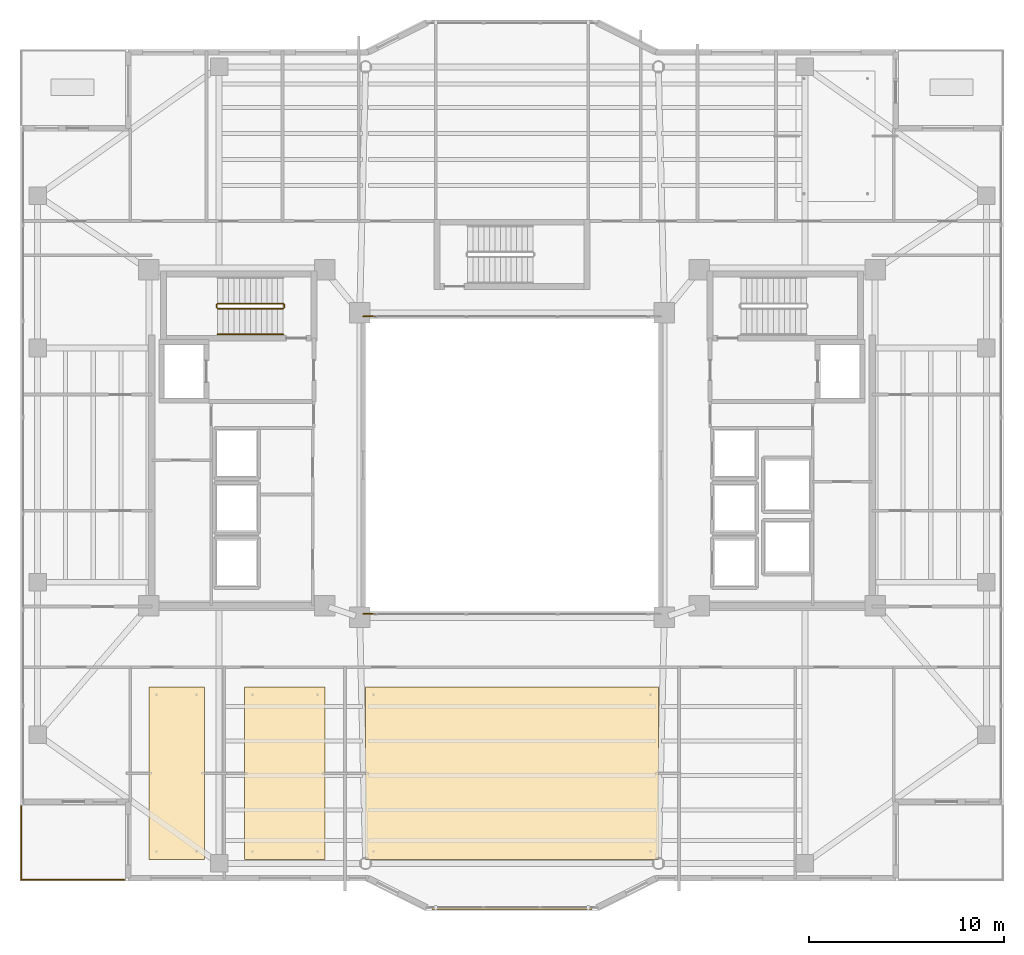
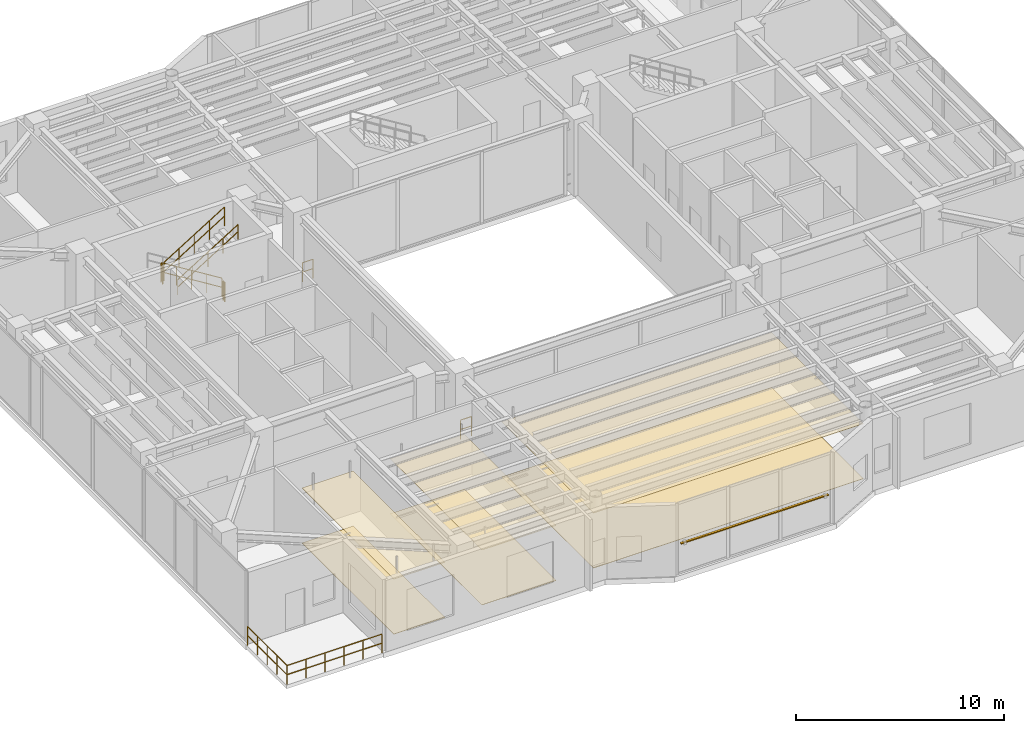
# One storey, part 30 of 33: 9 railings, 6 coverings, 1 shading device.
"""IFC4 building model written with IfcOpenShell, lengths in metres."""

from ifc_helpers import new_model, si_unit, direction, frame, origin, origin_2d, place, context, subcontext, project, spatial, polyline, rectangle, circle, outline, extrude, material, layer, layer_set, material_profile, profile_set, type_object, element, save


model = new_model("IFC4")

# Units and contexts
model_context = context("Model", 3, precision=1e-05, world=origin(), true_north=direction((0.0, 1.0)))
body_context = subcontext(model_context, "Body", "Model", "MODEL_VIEW")
ifc_project = project(units=[si_unit("LENGTHUNIT", "METRE"), si_unit("AREAUNIT", "SQUARE_METRE"), si_unit("VOLUMEUNIT", "CUBIC_METRE"), si_unit("PLANEANGLEUNIT", "RADIAN"), si_unit("MASSUNIT", "GRAM", prefix="KILO")], contexts=[model_context])

# Site, building, storey
site_placement = place(None, origin())
site = spatial("IfcSite", under=ifc_project, at=site_placement, CompositionType="ELEMENT")
building_placement = place(site_placement, origin())
building = spatial("IfcBuilding", under=site, at=building_placement, Name="Tarnavaz Court Tower", CompositionType="ELEMENT")
storey_placement = place(building_placement, frame((0.0, 0.0, 172.800048828125)))
storey = spatial("IfcBuildingStorey", under=building, at=storey_placement, Name="L47", CompositionType="ELEMENT", Elevation=172.800048828125)

# Coverings
ifc_material_1 = material(Name="Perforated Gypsum Acoustic Ceiling Tile", Category="masonry")
ifc_layer_1 = layer(ifc_material_1, 0.02490234375)
ifc_layer_set_1 = layer_set([ifc_layer_1], Name="Perforated Gypsum Acoustic Ceiling Tile")
covering_type_1 = type_object("IfcCoveringType", Name="CV-CEIL-AC", PredefinedType="CEILING", material=ifc_layer_set_1)
covering_1_placement = place(storey_placement, frame((0.0, 0.0, 3.22998046875)))
element("IfcCovering", 1, at=covering_1_placement, inside=storey, type_object=covering_type_1, Name="L47 L47 Daycare Classroom Suspended Acoustic Ceiling", PredefinedType="CEILING", context=body_context, shape_type="SweptSolid", body=[
    extrude(outline(polyline([(-18.60009765625, -20.199951171875), (-15.761962890625, -20.199951171875), (-15.761962890625, -11.360107421875), (-18.60009765625, -11.360107421875), (-18.60009765625, -20.199951171875)])), origin(), (0.0, 0.0, 1.0), 0.02490234375),
])
covering_2_placement = place(storey_placement, frame((0.0, 0.0, 3.22998046875)))
element("IfcCovering", 2, at=covering_2_placement, inside=storey, type_object=covering_type_1, Name="L47 L47 South-West Study Room Suspended Acoustic Ceiling", PredefinedType="CEILING", context=body_context, shape_type="SweptSolid", body=[
    extrude(outline(polyline([(-13.701904296875, -20.199951171875), (-9.570068359375, -20.199951171875), (-9.570068359375, -11.360107421875), (-13.701904296875, -11.360107421875), (-13.701904296875, -20.199951171875)])), origin(), (0.0, 0.0, 1.0), 0.02490234375),
])
covering_3_placement = place(storey_placement, frame((0.0, 0.0, 3.22998046875)))
element("IfcCovering", 3, at=covering_3_placement, inside=storey, type_object=covering_type_1, Name="L47 L47 Central Iwan Cultural Exhibition Hall Suspended Acoustic Ceiling", PredefinedType="CEILING", context=body_context, shape_type="SweptSolid", body=[
    extrude(outline(polyline([(-7.5, -20.199951171875), (7.5, -20.199951171875), (7.5, -11.360107421875), (-7.5, -11.360107421875), (-7.5, -20.199951171875)])), origin(), (0.0, 0.0, 1.0), 0.02490234375),
])
ifc_material_2 = material(Name="Glazed Khorasan Porcelain Floor Tile", Category="masonry")
ifc_layer_2 = layer(ifc_material_2, 0.02001953125)
ifc_layer_set_2 = layer_set([ifc_layer_2], Name="Glazed Khorasan Porcelain Floor Tile")
covering_type_2 = type_object("IfcCoveringType", Name="CV-FLR-PORC", PredefinedType="FLOORING", material=ifc_layer_set_2)
covering_4_placement = place(storey_placement, origin())
element("IfcCovering", 4, at=covering_4_placement, inside=storey, type_object=covering_type_2, Name="L47 L47 Daycare Classroom Porcelain Floor Finish", PredefinedType="FLOORING", context=body_context, shape_type="SweptSolid", body=[
    extrude(outline(polyline([(-18.60009765625, -20.199951171875), (-15.761962890625, -20.199951171875), (-15.761962890625, -11.360107421875), (-18.60009765625, -11.360107421875), (-18.60009765625, -20.199951171875)])), origin(), (0.0, 0.0, 1.0), 0.02001953125),
])
covering_5_placement = place(storey_placement, origin())
element("IfcCovering", 5, at=covering_5_placement, inside=storey, type_object=covering_type_2, Name="L47 L47 South-West Study Room Porcelain Floor Finish", PredefinedType="FLOORING", context=body_context, shape_type="SweptSolid", body=[
    extrude(outline(polyline([(-13.701904296875, -20.199951171875), (-9.570068359375, -20.199951171875), (-9.570068359375, -11.360107421875), (-13.701904296875, -11.360107421875), (-13.701904296875, -20.199951171875)])), origin(), (0.0, 0.0, 1.0), 0.02001953125),
])
covering_6_placement = place(storey_placement, origin())
element("IfcCovering", 6, at=covering_6_placement, inside=storey, type_object=covering_type_2, Name="L47 L47 Central Iwan Cultural Exhibition Hall Porcelain Floor Finish", PredefinedType="FLOORING", context=body_context, shape_type="SweptSolid", body=[
    extrude(outline(polyline([(-7.5, -20.199951171875), (7.5, -20.199951171875), (7.5, -11.360107421875), (-7.5, -11.360107421875), (-7.5, -20.199951171875)])), origin(), (0.0, 0.0, 1.0), 0.02001953125),
])

# Railings
ifc_material_3 = material(Name="Anodised Aluminium 6063-T6 and Laminated Safety Glass", Category="aluminium")
railing_type_1 = type_object("IfcRailingType", Name="RL-BAL-1120", PredefinedType="BALUSTRADE", material=ifc_material_3)
railing_1_placement = place(storey_placement, frame((-7.6201171875, -7.6201171875, 0.0)))
element("IfcRailing", 7, at=railing_1_placement, inside=storey, type_object=railing_type_1, Name="L47 Courtyard Corner Balustrade S-A", PredefinedType="BALUSTRADE", context=body_context, shape_type="SweptSolid", body=[
    extrude(circle(Radius=0.02392578125, at=origin_2d()), frame((0.0, 0.0, 1.1259765625), z_axis=(1.0, 0.0, 0.0), x_axis=(0.0, 1.0, 0.0)), (0.0, 0.0, 1.0), 0.60009765625),
    extrude(circle(Radius=0.02392578125, at=origin_2d()), frame((0.0, 0.0, 0.574951171875), z_axis=(1.0, 0.0, 0.0), x_axis=(0.0, 1.0, 0.0)), (0.0, 0.0, 1.0), 0.60009765625),
    extrude(circle(Radius=0.02099609375, at=origin_2d()), origin(), (0.0, 0.0, 1.0), 1.101806640625),
    extrude(circle(Radius=0.02099609375, at=origin_2d()), frame((0.60009765625, 0.0, 0.0)), (0.0, 0.0, 1.0), 1.101806640625),
])
railing_2_placement = place(storey_placement, frame((-7.02001953125, 7.6201171875, 0.0)))
element("IfcRailing", 8, at=railing_2_placement, inside=storey, type_object=railing_type_1, Name="L47 Courtyard Corner Balustrade N-B", PredefinedType="BALUSTRADE", context=body_context, shape_type="SweptSolid", body=[
    extrude(circle(Radius=0.02392578125, at=origin_2d()), frame((0.0, 0.0, 1.1259765625), z_axis=(-1.0, 0.0, 0.0), x_axis=(0.0, -1.0, 0.0)), (0.0, 0.0, 1.0), 0.60009765625),
    extrude(circle(Radius=0.02392578125, at=origin_2d()), frame((0.0, 0.0, 0.574951171875), z_axis=(-1.0, 0.0, 0.0), x_axis=(0.0, -1.0, 0.0)), (0.0, 0.0, 1.0), 0.60009765625),
    extrude(circle(Radius=0.02099609375, at=origin_2d()), origin(), (0.0, 0.0, 1.0), 1.101806640625),
    extrude(circle(Radius=0.02099609375, at=origin_2d()), frame((-0.60009765625, 0.0, 0.0)), (0.0, 0.0, 1.0), 1.101806640625),
])
railing_3_placement = place(storey_placement, frame((-25.139892578125, -21.239990234375, 0.0)))
element("IfcRailing", 9, at=railing_3_placement, inside=storey, type_object=railing_type_1, Name="L47 Terrace 4 S Perimeter Balustrade", PredefinedType="BALUSTRADE", context=body_context, shape_type="SweptSolid", body=[
    extrude(circle(Radius=0.02392578125, at=origin_2d()), frame((0.0, 0.0, 1.09619140625), z_axis=(1.0, 0.0, 0.0), x_axis=(0.0, 1.0, 0.0)), (0.0, 0.0, 1.0), 5.27978515625),
    extrude(circle(Radius=0.02392578125, at=origin_2d()), frame((0.0, 0.0, 0.56005859375), z_axis=(1.0, 0.0, 0.0), x_axis=(0.0, 1.0, 0.0)), (0.0, 0.0, 1.0), 5.27978515625),
    extrude(circle(Radius=0.02099609375, at=origin_2d()), origin(), (0.0, 0.0, 1.0), 1.072021484375),
    extrude(circle(Radius=0.02099609375, at=origin_2d()), frame((1.055908203125, 0.0, 0.0)), (0.0, 0.0, 1.0), 1.072021484375),
    extrude(circle(Radius=0.02099609375, at=origin_2d()), frame((2.11181640625, 0.0, 0.0)), (0.0, 0.0, 1.0), 1.072021484375),
    extrude(circle(Radius=0.02099609375, at=origin_2d()), frame((3.16796875, 0.0, 0.0)), (0.0, 0.0, 1.0), 1.072021484375),
    extrude(circle(Radius=0.02099609375, at=origin_2d()), frame((4.223876953125, 0.0, 0.0)), (0.0, 0.0, 1.0), 1.072021484375),
    extrude(circle(Radius=0.02099609375, at=origin_2d()), frame((5.27978515625, 0.0, 0.0)), (0.0, 0.0, 1.0), 1.072021484375),
])
railing_4_placement = place(storey_placement, frame((-25.139892578125, -17.4599609375, 0.0)))
element("IfcRailing", 10, at=railing_4_placement, inside=storey, type_object=railing_type_1, Name="L47 Terrace 4 W Perimeter Balustrade", PredefinedType="BALUSTRADE", context=body_context, shape_type="SweptSolid", body=[
    extrude(circle(Radius=0.02392578125, at=origin_2d()), frame((0.0, 0.0, 1.09619140625), z_axis=(0.0, -1.0, 0.0), x_axis=(1.0, 0.0, 0.0)), (0.0, 0.0, 1.0), 3.780029296875),
    extrude(circle(Radius=0.02392578125, at=origin_2d()), frame((0.0, 0.0, 0.56005859375), z_axis=(0.0, -1.0, 0.0), x_axis=(1.0, 0.0, 0.0)), (0.0, 0.0, 1.0), 3.780029296875),
    extrude(circle(Radius=0.02099609375, at=origin_2d()), origin(), (0.0, 0.0, 1.0), 1.072021484375),
    extrude(circle(Radius=0.02099609375, at=origin_2d()), frame((0.0, -0.945068359375, 0.0)), (0.0, 0.0, 1.0), 1.072021484375),
    extrude(circle(Radius=0.02099609375, at=origin_2d()), frame((0.0, -1.89013671875, 0.0)), (0.0, 0.0, 1.0), 1.072021484375),
    extrude(circle(Radius=0.02099609375, at=origin_2d()), frame((0.0, -2.8349609375, 0.0)), (0.0, 0.0, 1.0), 1.072021484375),
    extrude(circle(Radius=0.02099609375, at=origin_2d()), frame((0.0, -3.780029296875, 0.0)), (0.0, 0.0, 1.0), 1.072021484375),
])
ifc_material_4 = material(Name="Brushed Stainless Steel", Category="steel")
railing_type_2 = type_object("IfcRailingType", Name="RL-HANDRAIL-900", PredefinedType="HANDRAIL", material=ifc_material_4)
railing_5_placement = place(storey_placement, frame((-15.080078125, 6.699951171875, 2.423095703125)))
element("IfcRailing", 11, at=railing_5_placement, inside=storey, type_object=railing_type_2, Name="L47 ST-W1 stair handrail 2", PredefinedType="HANDRAIL", context=body_context, shape_type="SweptSolid", body=[
    extrude(circle(Radius=0.02392578125, at=origin_2d()), frame((0.0, 0.0, 0.8759765625), z_axis=(0.850623216509, 0.0, 0.525775754039), x_axis=(0.0, 1.0, 0.0)), (0.0, 0.0, 1.0), 3.9501953125),
    extrude(circle(Radius=0.02392578125, at=origin_2d()), frame((0.0, 0.0, 0.449951171875), z_axis=(0.850623216509, 0.0, 0.525775754039), x_axis=(0.0, 1.0, 0.0)), (0.0, 0.0, 1.0), 3.9501953125),
    extrude(circle(Radius=0.02099609375, at=origin_2d()), origin(), (0.0, 0.0, 1.0), 0.851806640625),
    extrude(circle(Radius=0.02099609375, at=origin_2d()), frame((0.840087890625, 0.0, 0.519287109375)), (0.0, 0.0, 1.0), 0.851806640625),
    extrude(circle(Radius=0.02099609375, at=origin_2d()), frame((1.68017578125, 0.0, 1.03857421875)), (0.0, 0.0, 1.0), 0.851806640625),
    extrude(circle(Radius=0.02099609375, at=origin_2d()), frame((2.52001953125, 0.0, 1.5576171875)), (0.0, 0.0, 1.0), 0.851806640625),
    extrude(circle(Radius=0.02099609375, at=origin_2d()), frame((3.360107421875, 0.0, 2.076904296875)), (0.0, 0.0, 1.0), 0.851806640625),
])
ifc_material_5 = material(Name="Galvanized Painted Tubular Steel", Category="steel")
railing_type_3 = type_object("IfcRailingType", Name="RL-STGUARD-1120", PredefinedType="GUARDRAIL", material=ifc_material_5)
railing_6_placement = place(storey_placement, frame((-11.719970703125, 8.27001953125, 0.173095703125)))
element("IfcRailing", 12, at=railing_6_placement, inside=storey, type_object=railing_type_3, Name="L47 ST-W1 stair guard 1", PredefinedType="GUARDRAIL", context=body_context, shape_type="SweptSolid", body=[
    extrude(circle(Radius=0.02392578125, at=origin_2d()), frame((0.0, 0.0, 1.09619140625), z_axis=(-0.850623216509, 0.0, 0.525775754039), x_axis=(0.0, -1.0, 0.0)), (0.0, 0.0, 1.0), 3.9501953125),
    extrude(circle(Radius=0.02392578125, at=origin_2d()), frame((0.0, 0.0, 0.56005859375), z_axis=(-0.850623216509, 0.0, 0.525775754039), x_axis=(0.0, -1.0, 0.0)), (0.0, 0.0, 1.0), 3.9501953125),
    extrude(circle(Radius=0.02099609375, at=origin_2d()), origin(), (0.0, 0.0, 1.0), 1.072021484375),
    extrude(circle(Radius=0.02099609375, at=origin_2d()), frame((-0.840087890625, 0.0, 0.519287109375)), (0.0, 0.0, 1.0), 1.072021484375),
    extrude(circle(Radius=0.02099609375, at=origin_2d()), frame((-1.68017578125, 0.0, 1.03857421875)), (0.0, 0.0, 1.0), 1.072021484375),
    extrude(circle(Radius=0.02099609375, at=origin_2d()), frame((-2.52001953125, 0.0, 1.5576171875)), (0.0, 0.0, 1.0), 1.072021484375),
    extrude(circle(Radius=0.02099609375, at=origin_2d()), frame((-3.360107421875, 0.0, 2.076904296875)), (0.0, 0.0, 1.0), 1.072021484375),
])
railing_7_placement = place(storey_placement, frame((-15.1298828125, 8.219970703125, 2.25)))
element("IfcRailing", 13, at=railing_7_placement, inside=storey, type_object=railing_type_3, Name="L47 ST-W1 stair guard 2", PredefinedType="GUARDRAIL", context=body_context, shape_type="SweptSolid", body=[
    extrude(circle(Radius=0.02392578125, at=origin_2d()), frame((0.0, 0.0, 1.09619140625), z_axis=(0.0, -1.0, 0.0), x_axis=(1.0, 0.0, 0.0)), (0.0, 0.0, 1.0), 0.14990234375),
    extrude(circle(Radius=0.02392578125, at=origin_2d()), frame((0.0, 0.0, 0.56005859375), z_axis=(0.0, -1.0, 0.0), x_axis=(1.0, 0.0, 0.0)), (0.0, 0.0, 1.0), 0.14990234375),
    extrude(circle(Radius=0.02099609375, at=origin_2d()), origin(), (0.0, 0.0, 1.0), 1.072021484375),
    extrude(circle(Radius=0.02099609375, at=origin_2d()), frame((0.0, -0.14990234375, 0.0)), (0.0, 0.0, 1.0), 1.072021484375),
])
railing_8_placement = place(storey_placement, frame((-15.080078125, 8.02001953125, 2.423095703125)))
element("IfcRailing", 14, at=railing_8_placement, inside=storey, type_object=railing_type_3, Name="L47 ST-W1 stair guard 3", PredefinedType="GUARDRAIL", context=body_context, shape_type="SweptSolid", body=[
    extrude(circle(Radius=0.02392578125, at=origin_2d()), frame((0.0, 0.0, 1.09619140625), z_axis=(0.850623216509, 0.0, 0.525775754039), x_axis=(0.0, 1.0, 0.0)), (0.0, 0.0, 1.0), 3.9501953125),
    extrude(circle(Radius=0.02392578125, at=origin_2d()), frame((0.0, 0.0, 0.56005859375), z_axis=(0.850623216509, 0.0, 0.525775754039), x_axis=(0.0, 1.0, 0.0)), (0.0, 0.0, 1.0), 3.9501953125),
    extrude(circle(Radius=0.02099609375, at=origin_2d()), origin(), (0.0, 0.0, 1.0), 1.072021484375),
    extrude(circle(Radius=0.02099609375, at=origin_2d()), frame((0.840087890625, 0.0, 0.519287109375)), (0.0, 0.0, 1.0), 1.072021484375),
    extrude(circle(Radius=0.02099609375, at=origin_2d()), frame((1.68017578125, 0.0, 1.03857421875)), (0.0, 0.0, 1.0), 1.072021484375),
    extrude(circle(Radius=0.02099609375, at=origin_2d()), frame((2.52001953125, 0.0, 1.5576171875)), (0.0, 0.0, 1.0), 1.072021484375),
    extrude(circle(Radius=0.02099609375, at=origin_2d()), frame((3.360107421875, 0.0, 2.076904296875)), (0.0, 0.0, 1.0), 1.072021484375),
])
railing_9_placement = place(storey_placement, frame((-11.669921875, 8.219970703125, 0.0)))
element("IfcRailing", 15, at=railing_9_placement, inside=storey, type_object=railing_type_3, Name="L47 ST-W1 stair guard 4", PredefinedType="GUARDRAIL", context=body_context, shape_type="SweptSolid", body=[
    extrude(circle(Radius=0.02392578125, at=origin_2d()), frame((0.0, 0.0, 1.09619140625), z_axis=(0.0, -1.0, 0.0), x_axis=(1.0, 0.0, 0.0)), (0.0, 0.0, 1.0), 0.14990234375),
    extrude(circle(Radius=0.02392578125, at=origin_2d()), frame((0.0, 0.0, 0.56005859375), z_axis=(0.0, -1.0, 0.0), x_axis=(1.0, 0.0, 0.0)), (0.0, 0.0, 1.0), 0.14990234375),
    extrude(circle(Radius=0.02099609375, at=origin_2d()), origin(), (0.0, 0.0, 1.0), 1.072021484375),
    extrude(circle(Radius=0.02099609375, at=origin_2d()), frame((0.0, -0.14990234375, 0.0)), (0.0, 0.0, 1.0), 1.072021484375),
])

# Shading device
ifc_material_6 = material(Name="Kiln-Fired Khorasan Terracotta Ceramic", Category="masonry")
ifc_material_profile = material_profile(ifc_material_6, rectangle(XDim=0.1201171875, YDim=0.06005859375, at=origin_2d()), Name="TC BAGUETTE 120X60")
ifc_profile_set = profile_set([ifc_material_profile], Name="Kiln-Fired Khorasan Terracotta Ceramic")
shading_device_type = type_object("IfcShadingDeviceType", Name="SD-BAG-120", PredefinedType="USERDEFINED", material=ifc_profile_set)
shading_device_placement = place(storey_placement, frame((4.10009765625, -22.7099609375, 1.800048828125), z_axis=(-1.0, 0.0, 0.0), x_axis=(0.0, -1.0, 0.0)))
element("IfcShadingDevice", 16, at=shading_device_placement, inside=storey, type_object=shading_device_type, Name="L47 Terracotta Baguette Screen PBG17", ObjectType="BAGUETTE", PredefinedType="USERDEFINED", context=body_context, shape_type="SweptSolid", body=[
    extrude(rectangle(XDim=0.1201171875, YDim=0.06005859375, at=origin_2d()), origin(), (0.0, 0.0, 1.0), 8.2001953125),
])

save(model, "model.ifc")
